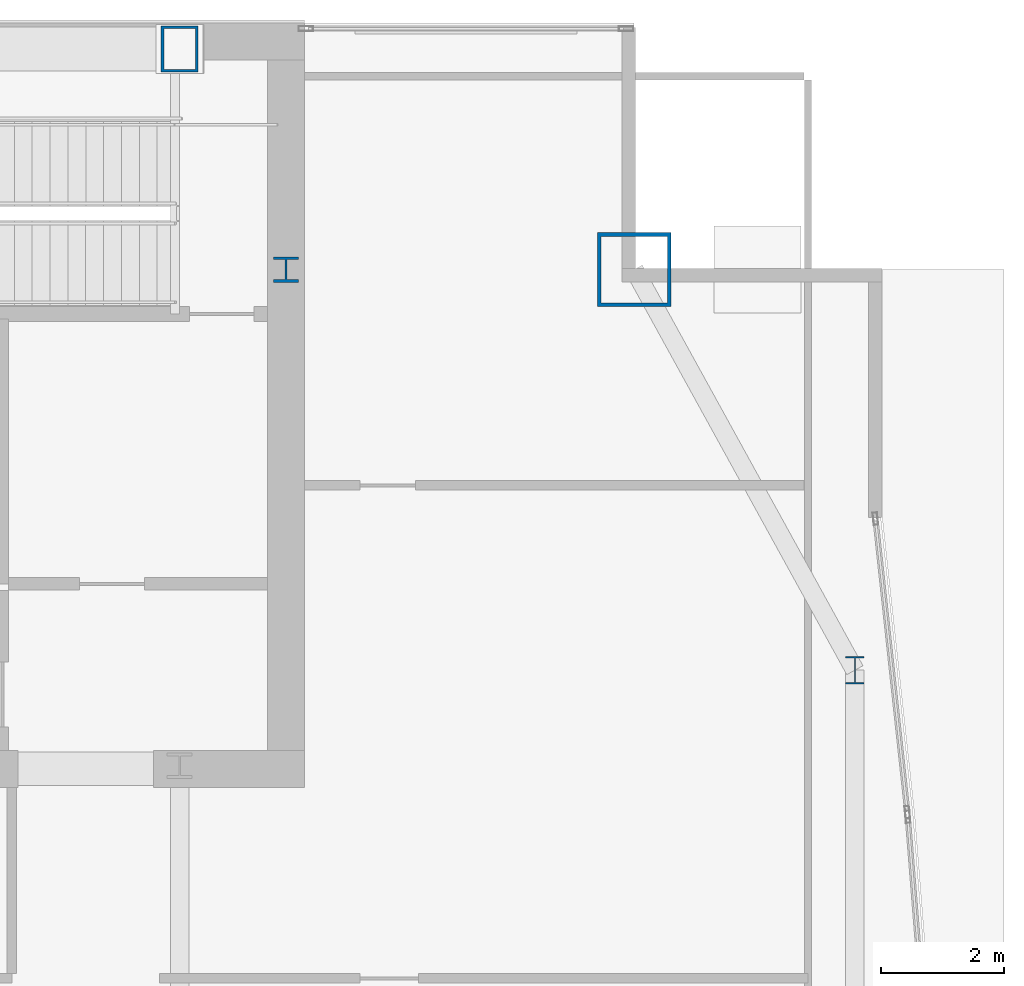
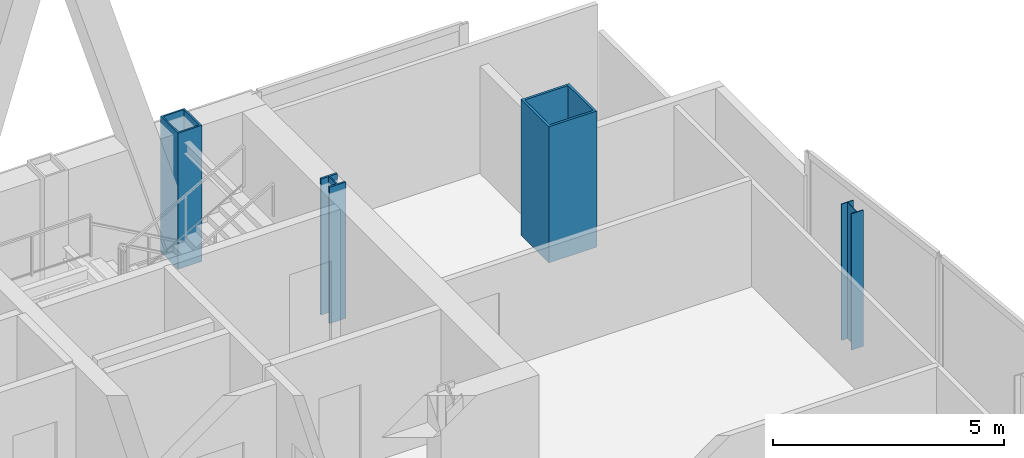
# One storey, part 4 of 32: 4 columns.
"""IFC4 building model written with IfcOpenShell, lengths in metres."""

from ifc_helpers import new_model, si_unit, direction, frame, origin, origin_2d, place, context, subcontext, project, spatial, hollow_rectangle, i_section, extrude, material, material_profile, profile_set, type_object, element, save


model = new_model("IFC4")

# Units and contexts
model_context = context("Model", 3, precision=1e-05, world=origin(), true_north=direction((0.0, 1.0)))
body_context = subcontext(model_context, "Body", "Model", "MODEL_VIEW")
ifc_project = project(units=[si_unit("LENGTHUNIT", "METRE"), si_unit("AREAUNIT", "SQUARE_METRE"), si_unit("VOLUMEUNIT", "CUBIC_METRE"), si_unit("PLANEANGLEUNIT", "RADIAN"), si_unit("MASSUNIT", "GRAM", prefix="KILO")], contexts=[model_context])

# Site, building, storey
site_placement = place(None, origin())
site = spatial("IfcSite", under=ifc_project, at=site_placement, CompositionType="ELEMENT")
building_placement = place(site_placement, origin())
building = spatial("IfcBuilding", under=site, at=building_placement, Name="Khoronbel Lancet Exchange", CompositionType="ELEMENT")
storey_placement = place(building_placement, frame((0.0, 0.0, 188.60009765625)))
storey = spatial("IfcBuildingStorey", under=building, at=storey_placement, Name="L47", CompositionType="ELEMENT", Elevation=188.60009765625)

# Columns
ifc_material_1 = material(Name="Steel S460", Category="steel")
ifc_material_profile_1 = material_profile(ifc_material_1, hollow_rectangle(XDim=0.60009765625, YDim=0.75, WallThickness=0.044921875, at=origin_2d()), Name="BOX 750x600x45")
ifc_profile_set_1 = profile_set([ifc_material_profile_1], Name="Steel S460")
column_type_1 = type_object("IfcColumnType", Name="COL-EC3", PredefinedType="COLUMN", material=ifc_profile_set_1)
column_1_placement = place(storey_placement, frame((54.675048828125, 53.280029296875, 0.0), z_axis=(0.0, 0.0, 1.0), x_axis=(1.0, 0.0, 0.0)))
element("IfcColumn", 1, at=column_1_placement, inside=storey, type_object=column_type_1, Name="Structural column NC-E2 L47", PredefinedType="COLUMN", context=body_context, shape_type="SweptSolid", body=[
    extrude(hollow_rectangle(XDim=0.60009765625, YDim=0.75, WallThickness=0.044921875, at=origin_2d()), origin(), (0.0, 0.0, 1.0), 3.599853515625),
])
ifc_material_2 = material(Name="Steel S355", Category="steel")
ifc_material_profile_2 = material_profile(ifc_material_2, i_section(OverallWidth=0.406005859375, OverallDepth=0.416015625, WebThickness=0.02978515625, FlangeThickness=0.048095703125, at=origin_2d()), Name="HD 400x382")
ifc_profile_set_2 = profile_set([ifc_material_profile_2], Name="Steel S355")
column_type_2 = type_object("IfcColumnType", Name="COL-IC3", PredefinedType="COLUMN", material=ifc_profile_set_2)
column_2_placement = place(storey_placement, frame((56.39990234375, 49.699951171875, 0.0), z_axis=(0.0, 0.0, 1.0), x_axis=(1.0, 0.0, 0.0)))
element("IfcColumn", 2, at=column_2_placement, inside=storey, type_object=column_type_2, Name="Core-flank plumb transfer column CFE L47", PredefinedType="COLUMN", context=body_context, shape_type="SweptSolid", body=[
    extrude(i_section(OverallWidth=0.406005859375, OverallDepth=0.416015625, WebThickness=0.02978515625, FlangeThickness=0.048095703125, at=origin_2d()), origin(), (0.0, 0.0, 1.0), 3.599853515625),
])
ifc_material_profile_3 = material_profile(ifc_material_2, i_section(OverallWidth=0.300048828125, OverallDepth=0.449951171875, WebThickness=0.013916015625, FlangeThickness=0.02587890625, at=origin_2d()), Name="HEB 450")
ifc_profile_set_3 = profile_set([ifc_material_profile_3], Name="Steel S355")
column_type_3 = type_object("IfcColumnType", Name="COL-LC2", PredefinedType="COLUMN", material=ifc_profile_set_3)
column_3_placement = place(storey_placement, frame((65.6298828125, 43.199951171875, 0.0), z_axis=(0.0, 0.0, 1.0), x_axis=(1.0, 0.0, 0.0)))
element("IfcColumn", 3, at=column_3_placement, inside=storey, type_object=column_type_3, Name="Structural column EC-4 L47", PredefinedType="COLUMN", context=body_context, shape_type="SweptSolid", body=[
    extrude(i_section(OverallWidth=0.300048828125, OverallDepth=0.449951171875, WebThickness=0.013916015625, FlangeThickness=0.02587890625, at=origin_2d()), origin(), (0.0, 0.0, 1.0), 3.599853515625),
])
ifc_material_profile_4 = material_profile(ifc_material_1, hollow_rectangle(XDim=1.199951171875, YDim=1.199951171875, WallThickness=0.06005859375, at=origin_2d()), Name="BOX 1200x1200x60")
ifc_profile_set_4 = profile_set([ifc_material_profile_4], Name="Steel S460")
column_type_4 = type_object("IfcColumnType", Name="COL-MC5", PredefinedType="COLUMN", material=ifc_profile_set_4)
column_4_placement = place(storey_placement, frame((62.050048828125, 49.699951171875, 0.0), z_axis=(0.0, 0.0, 1.0), x_axis=(1.0, 0.0, 0.0)))
element("IfcColumn", 4, at=column_4_placement, inside=storey, type_object=column_type_4, Name="Structural column MC-NE L47", PredefinedType="COLUMN", context=body_context, shape_type="SweptSolid", body=[
    extrude(hollow_rectangle(XDim=1.199951171875, YDim=1.199951171875, WallThickness=0.06005859375, at=origin_2d()), origin(), (0.0, 0.0, 1.0), 3.599853515625),
])

save(model, "model.ifc")
